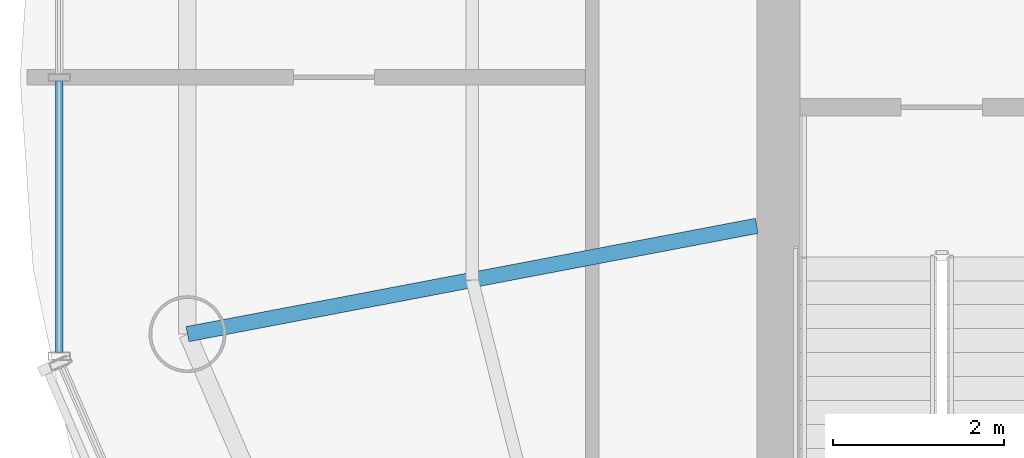
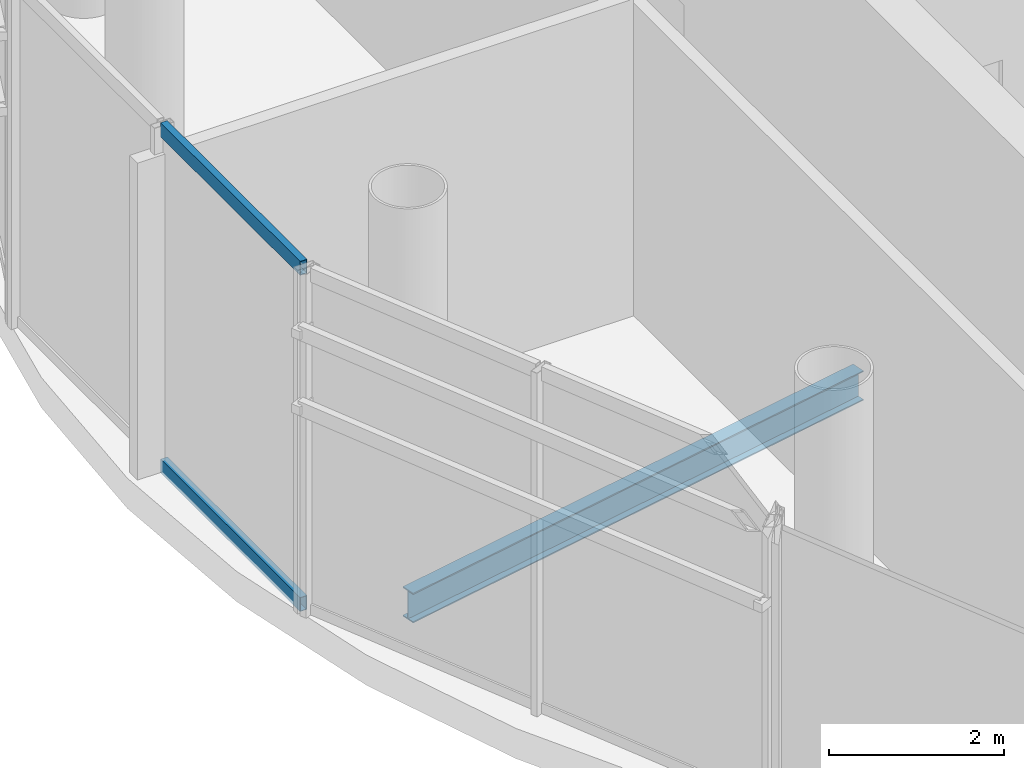
# One storey, part 3 of 15: 2 members, 1 beam, 1 element without a shape of its own.
"""IFC4 building model written with IfcOpenShell, lengths in metres."""

import ifcopenshell
import ifcopenshell.guid

model = None  # the IFC model being written
_history = None  # IfcOwnerHistory: only IFC2X3 demands one
_inside = {}  # id of a spatial element -> (the spatial element, [elements in it])
_under = {}  # id of a project, library or spatial element -> (it, [spatial elements below it])
_declared = {}  # id of a project -> (the project, [libraries it declares])
_typed = {}  # id of a type object -> (the type object, [elements of that type])
_made_of = {}  # id of a material, layer set ... -> (it, [elements and type objects made of it])


def new_model(schema):
    """Start an empty IFC model of exactly this schema.

    Asked for "IFC4X3", IfcOpenShell would pick the latest addendum, in which some entities
    have other attributes; the version numbers below select the first issue.
    IFC2X3 requires an IfcOwnerHistory on every rooted entity: one is made here for all.
    """
    global model, _history
    if schema == "IFC4X3":
        model = ifcopenshell.file(schema_version=(4, 3, 0, 0))
    else:
        model = ifcopenshell.file(schema=schema)
    _inside.clear()
    _under.clear()
    _declared.clear()
    _typed.clear()
    _made_of.clear()
    _history = None
    if model.schema == "IFC2X3":
        org = make("IfcOrganization", Name="unknown")
        user = make(
            "IfcPersonAndOrganization",
            ThePerson=make("IfcPerson", FamilyName="unknown"),
            TheOrganization=org,
        )
        app = make(
            "IfcApplication",
            ApplicationDeveloper=org,
            Version="unknown",
            ApplicationFullName="unknown",
            ApplicationIdentifier="unknown",
        )
        _history = make(
            "IfcOwnerHistory",
            OwningUser=user,
            OwningApplication=app,
            ChangeAction="ADDED",
            CreationDate=0,
        )
    return model


def make(cls, **values):
    """One entity of the class cls with the attributes given. An attribute that is None is left unset."""
    return model.create_entity(
        cls, **{name: value for name, value in values.items() if value is not None}
    )


def rooted(cls, **values):
    """An entity with a GlobalId (a new one), such as an element, a storey or a relation."""
    return make(cls, GlobalId=ifcopenshell.guid.new(), OwnerHistory=_history, **values)


def si_unit(unit_type, name, prefix=None):
    """IfcSIUnit, for example si_unit("LENGTHUNIT", "METRE", prefix="MILLI")."""
    return make("IfcSIUnit", UnitType=unit_type, Prefix=prefix, Name=name)


def assignment(units):
    """IfcUnitAssignment: the units of a project."""
    return None if units is None else make("IfcUnitAssignment", Units=units)


def point(xyz):
    """IfcCartesianPoint."""
    return None if xyz is None else make("IfcCartesianPoint", Coordinates=xyz)


def direction(xyz):
    """IfcDirection."""
    return None if xyz is None else make("IfcDirection", DirectionRatios=xyz)


def frame(location, z_axis=None, x_axis=None):
    """IfcAxis2Placement3D, a coordinate frame: its origin and axes. An axis left out is left unset."""
    return make(
        "IfcAxis2Placement3D",
        Location=point(location),
        Axis=direction(z_axis),
        RefDirection=direction(x_axis),
    )


def frame_2d(location, x_axis=None):
    """IfcAxis2Placement2D, a coordinate frame in the plane: its origin and x axis."""
    return make(
        "IfcAxis2Placement2D", Location=point(location), RefDirection=direction(x_axis)
    )


def origin():
    """The frame at (0, 0, 0) with its axes left unset."""
    return frame((0.0, 0.0, 0.0))


def origin_2d():
    """The frame at (0, 0) in the plane with its x axis left unset."""
    return frame_2d((0.0, 0.0))


def place(relative_to, where):
    """IfcLocalPlacement: puts the frame where relative to a parent placement (None: the world)."""
    return make(
        "IfcLocalPlacement", PlacementRelTo=relative_to, RelativePlacement=where
    )


def context(
    kind, dimensions, precision=None, world=None, true_north=None, identifier=None
):
    """IfcGeometricRepresentationContext, for example the 3D "Model" context."""
    return make(
        "IfcGeometricRepresentationContext",
        ContextIdentifier=identifier,
        ContextType=kind,
        CoordinateSpaceDimension=dimensions,
        Precision=precision,
        WorldCoordinateSystem=world,
        TrueNorth=true_north,
    )


def subcontext(parent, identifier, kind, view, scale=None):
    """IfcGeometricRepresentationSubContext, for example "Body" below "Model"."""
    return make(
        "IfcGeometricRepresentationSubContext",
        ContextIdentifier=identifier,
        ContextType=kind,
        ParentContext=parent,
        TargetScale=scale,
        TargetView=view,
    )


def project(units=None, contexts=None):
    """IfcProject with its units and contexts."""
    return rooted(
        "IfcProject",
        Name="project",
        RepresentationContexts=contexts,
        UnitsInContext=assignment(units),
    )


def spatial(cls, under=None, at=None, **own):
    """A site, building, storey or space (cls), placed at a placement, below another one or the project."""
    s = rooted(cls, ObjectPlacement=at, **own)
    if under is not None:
        _under.setdefault(under.id(), (under, []))[1].append(s)
    return s


def profile(cls, at=None, kind="AREA", **sizes):
    """A parametric profile (cls). Its sizes go by their IFC names, for example OverallWidth=200.0."""
    return make(cls, ProfileType=kind, Position=at, **sizes)


def hollow_rectangle(**sizes):
    """IfcRectangleHollowProfileDef."""
    return profile("IfcRectangleHollowProfileDef", **sizes)


def i_section(**sizes):
    """IfcIShapeProfileDef."""
    return profile("IfcIShapeProfileDef", **sizes)


def extrude(swept, where, along, depth):
    """IfcExtrudedAreaSolid: the profile swept, set in the frame where, extruded along a direction by depth."""
    return make(
        "IfcExtrudedAreaSolid",
        SweptArea=swept,
        Position=where,
        ExtrudedDirection=direction(along),
        Depth=depth,
    )


def shape(context_of_items, identifier, shape_type, items):
    """IfcShapeRepresentation: the items that make up one representation, for example the "Body"."""
    return make(
        "IfcShapeRepresentation",
        ContextOfItems=context_of_items,
        RepresentationIdentifier=identifier,
        RepresentationType=shape_type,
        Items=items,
    )


def source(mapping_origin, context_of_items, identifier, shape_type, items):
    """IfcRepresentationMap: a shape defined once, which mapped items show again and again."""
    return make(
        "IfcRepresentationMap",
        MappingOrigin=mapping_origin,
        MappedRepresentation=shape(context_of_items, identifier, shape_type, items),
    )


def transform(
    local_origin,
    x_axis=None,
    y_axis=None,
    z_axis=None,
    scale=None,
    scale2=None,
    scale3=None,
    uniform=True,
):
    """IfcCartesianTransformationOperator3D, or its non-uniform kind. x_axis, y_axis, z_axis: its Axis1, 2, 3."""
    if uniform:
        return make(
            "IfcCartesianTransformationOperator3D",
            Axis1=direction(x_axis),
            Axis2=direction(y_axis),
            LocalOrigin=point(local_origin),
            Scale=scale,
            Axis3=direction(z_axis),
        )
    return make(
        "IfcCartesianTransformationOperator3DnonUniform",
        Axis1=direction(x_axis),
        Axis2=direction(y_axis),
        LocalOrigin=point(local_origin),
        Scale=scale,
        Axis3=direction(z_axis),
        Scale2=scale2,
        Scale3=scale3,
    )


def mapped(mapping_source, mapping_target):
    """IfcMappedItem: shows the shape of a source again, moved by a transform."""
    return make(
        "IfcMappedItem", MappingSource=mapping_source, MappingTarget=mapping_target
    )


def material(Name=None, Category=None):
    """IfcMaterial."""
    return make("IfcMaterial", Name=Name, Category=Category)


def material_profile(
    of_material, cross_section, Name=None, Category=None, Priority=None
):
    """IfcMaterialProfile: a cross section and its material."""
    return make(
        "IfcMaterialProfile",
        Name=Name,
        Material=of_material,
        Profile=cross_section,
        Priority=Priority,
        Category=Category,
    )


def profile_set(profiles, Name=None, composite=None):
    """IfcMaterialProfileSet."""
    return make(
        "IfcMaterialProfileSet",
        Name=Name,
        MaterialProfiles=profiles,
        CompositeProfile=composite,
    )


def made_of(thing, what):
    """Note that an element or type object is made of a material, layer set ...; save() writes the relation."""
    if what is not None:
        _made_of.setdefault(what.id(), (what, []))[1].append(thing)
    return thing


def type_object(cls, material=None, **own):
    """A type object (cls), such as IfcWallType, which elements share."""
    return made_of(rooted(cls, **own), material)


def element(
    cls,
    number,
    at=None,
    inside=None,
    cuts=None,
    type_object=None,
    material=None,
    context=None,
    identifier="Body",
    shape_type=None,
    held_by="IfcProductDefinitionShape",
    body=None,
    shapes=None,
    **own,
):
    """One element of the class cls, such as IfcWall. Its Tag is "e" and its number.

    at: its placement. inside: the storey or other place that contains it. cuts: it is an
    opening in that element (IfcRelVoidsElement). A single representation is given by context,
    identifier, shape_type and body (its items); several are given by shapes. held_by: the class
    of the entity that holds the representations. save() writes the other relations.
    """
    e = rooted(cls, Tag="e%d" % number, ObjectPlacement=at, **own)
    if body is not None:
        shapes = [shape(context, identifier, shape_type, body)]
    if shapes is not None:
        e.Representation = make(held_by, Representations=shapes)
    if inside is not None:
        _inside.setdefault(inside.id(), (inside, []))[1].append(e)
    if cuts is not None:
        rooted(
            "IfcRelVoidsElement", RelatingBuildingElement=cuts, RelatedOpeningElement=e
        )
    if type_object is not None:
        _typed.setdefault(type_object.id(), (type_object, []))[1].append(e)
    return made_of(e, material)


def aggregate(whole, parts):
    """IfcRelAggregates: a whole, such as a stair, and the parts it consists of."""
    return rooted("IfcRelAggregates", RelatingObject=whole, RelatedObjects=parts)


def save(model, path):
    """Write the relations noted so far, then the file.

    IfcRelAggregates (storeys below a building ...), IfcRelContainedInSpatialStructure (elements
    in a storey), IfcRelDefinesByType, IfcRelAssociatesMaterial and IfcRelDeclares: one each for
    every whole, place, type object, material and project.
    """
    for whole, parts in _under.values():
        aggregate(whole, parts)
    for where, things in _inside.values():
        rooted(
            "IfcRelContainedInSpatialStructure",
            RelatedElements=things,
            RelatingStructure=where,
        )
    for kind, things in _typed.values():
        rooted("IfcRelDefinesByType", RelatedObjects=things, RelatingType=kind)
    for what, things in _made_of.values():
        rooted("IfcRelAssociatesMaterial", RelatedObjects=things, RelatingMaterial=what)
    for by, libraries in _declared.values():
        rooted("IfcRelDeclares", RelatingContext=by, RelatedDefinitions=libraries)
    model.write(path)


model = new_model("IFC4")

# Units and contexts
model_context = context("Model", 3, precision=1e-05, world=origin(), true_north=direction((-0.2419218956, 0.970295726276)))
body_context = subcontext(model_context, "Body", "Model", "MODEL_VIEW")
ifc_project = project(units=[si_unit("LENGTHUNIT", "METRE"), si_unit("AREAUNIT", "SQUARE_METRE"), si_unit("VOLUMEUNIT", "CUBIC_METRE"), si_unit("PLANEANGLEUNIT", "RADIAN"), si_unit("MASSUNIT", "GRAM", prefix="KILO")], contexts=[model_context])

# Site, building, storey
site_placement = place(None, origin())
site = spatial("IfcSite", under=ifc_project, at=site_placement, CompositionType="ELEMENT")
building_placement = place(site_placement, origin())
building = spatial("IfcBuilding", under=site, at=building_placement, Name="Cobrevalo Terracotta Tower", CompositionType="ELEMENT")
storey_placement = place(building_placement, frame((0.0, 0.0, 311.300048828125)))
storey = spatial("IfcBuildingStorey", under=building, at=storey_placement, Name="L81", CompositionType="ELEMENT", Elevation=311.300048828125)

# Beam
ifc_material_1 = material(Name="Steel S355", Category="steel")
ifc_material_profile_1 = material_profile(ifc_material_1, i_section(OverallWidth=0.179931640625, OverallDepth=0.4130859375, WebThickness=0.009765625, FlangeThickness=0.01611328125, at=origin_2d()), Name="W 410x75")
ifc_profile_set_1 = profile_set([ifc_material_profile_1], Name="Steel S355")
beam_type = type_object("IfcBeamType", Name="Structural Beam W 410x75 (Steel S355)", PredefinedType="BEAM", material=ifc_profile_set_1)
beam_placement = place(storey_placement, frame((22.20947265625, 23.795654296875, -0.62646484375), z_axis=(0.982375422254, 0.186918510993, 0.0), x_axis=(-0.186918510993, 0.982375422254, 0.0)))
element("IfcBeam", 1, at=beam_placement, inside=storey, type_object=beam_type, Name="L81 radial floor girder 09", PredefinedType="BEAM", context=body_context, shape_type="SweptSolid", body=[
    extrude(i_section(OverallWidth=0.179931640625, OverallDepth=0.4130859375, WebThickness=0.009765625, FlangeThickness=0.01611328125, at=origin_2d()), origin(), (0.0, 0.0, 1.0), 6.780029296875),
])

# Curtain wall, members
ifc_material_2 = material(Name="Anodized aluminium", Category="aluminium")
curtain_wall_type = type_object("IfcCurtainWallType", Name="Faceted glass-point crown structural glazing system CW-CR", PredefinedType="NOTDEFINED", material=ifc_material_2)
curtain_wall_placement = place(storey_placement, origin())
curtain_wall = element("IfcCurtainWall", 2, at=curtain_wall_placement, inside=storey, type_object=curtain_wall_type, Name="L81 curtain wall CW-CRN-L81-S08", PredefinedType="NOTDEFINED")
ifc_material_profile_2 = material_profile(ifc_material_2, hollow_rectangle(XDim=0.090087890625, YDim=0.195068359375, WallThickness=0.005615234375, at=origin_2d()), Name="CWT 90x195")
ifc_profile_set_2 = profile_set([ifc_material_profile_2], Name="Anodized aluminium")
member_type = type_object("IfcMemberType", Name="Crown structural aluminium transom 90x195", PredefinedType="USERDEFINED", material=ifc_profile_set_2)
shared_shape = source(origin(), body_context, "Body", "SweptSolid", [
    extrude(hollow_rectangle(XDim=0.090087890625, YDim=0.195068359375, WallThickness=0.005615234375, at=origin_2d()), origin(), (0.0, 0.0, 1.0), 3.182861328125),
])
member_1_placement = place(storey_placement, frame((20.708740234375, 26.760009765625, 0.050048828125), z_axis=(0.0, -1.0, 0.0), x_axis=(1.0, 0.0, 0.0)))
member_1 = element("IfcMember", 3, at=member_1_placement, type_object=member_type, Name="CW-CRN-L81-S08 transom B02-T1", ObjectType="TRANSOM", PredefinedType="USERDEFINED", context=body_context, shape_type="MappedRepresentation", body=[
    mapped(shared_shape, transform((0.0, 0.0, 0.0), scale=1.0)),
])
member_2_placement = place(storey_placement, frame((20.708740234375, 26.760009765625, 4.72998046875), z_axis=(0.0, -1.0, 0.0), x_axis=(1.0, 0.0, 0.0)))
member_2 = element("IfcMember", 4, at=member_2_placement, type_object=member_type, Name="CW-CRN-L81-S08 transom B02-T2", ObjectType="TRANSOM", PredefinedType="USERDEFINED", context=body_context, shape_type="MappedRepresentation", body=[
    mapped(shared_shape, transform((0.0, 0.0, 0.0), scale=1.0)),
])
aggregate(curtain_wall, [member_1, member_2])

save(model, "model.ifc")
